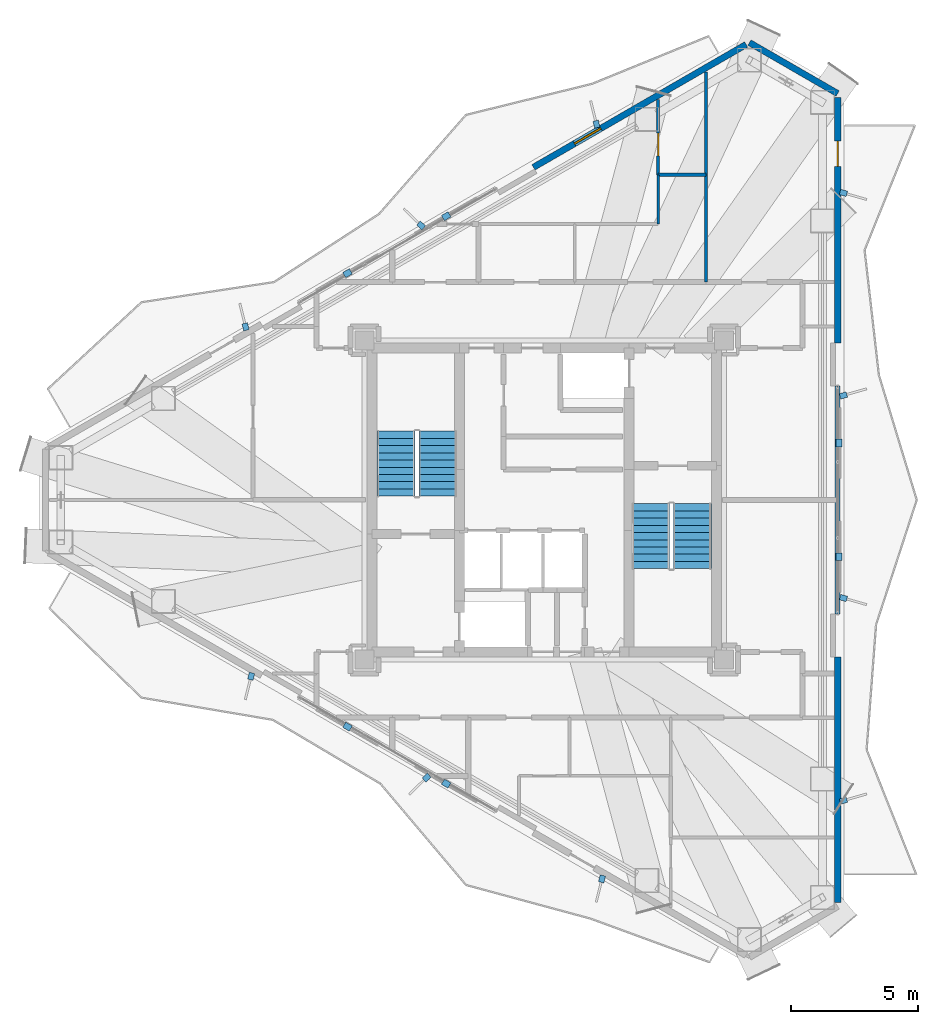
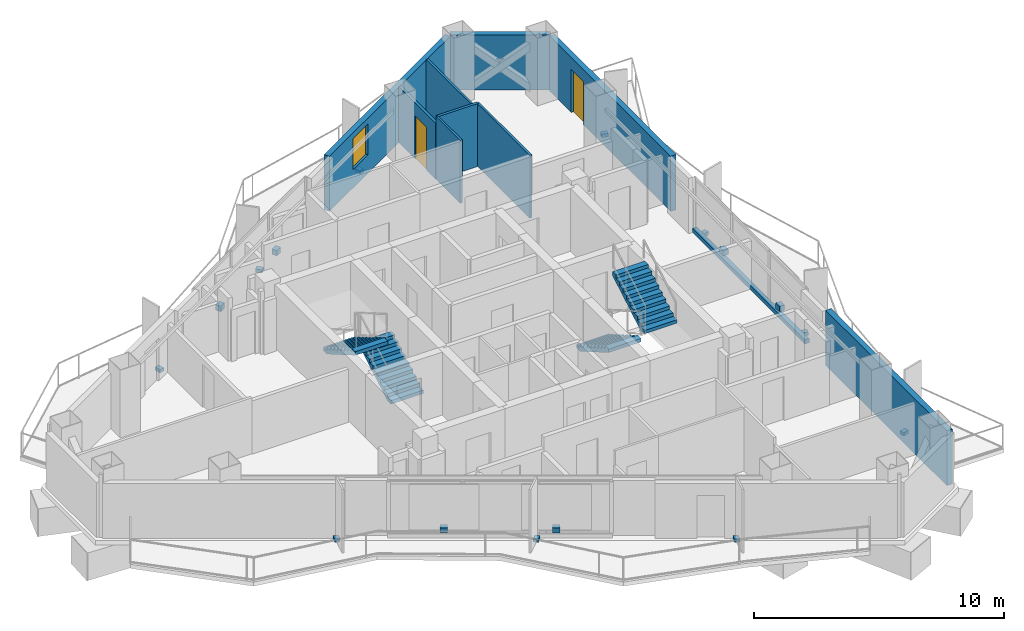
# One storey, part 17 of 19: 16 discrete accessories, 10 walls, 4 stair flights, 2 doors, 1 window, 3 openings, 2 elements without a shape of their own.
"""IFC4 building model written with IfcOpenShell, lengths in metres."""

from ifc_helpers import new_model, si_unit, direction, frame, frame_2d, origin, origin_2d, place, context, subcontext, project, spatial, polyline, rectangle, outline, extrude, material, layer, layer_set, type_object, element, fill, aggregate, save


model = new_model("IFC4")

# Units and contexts
model_context = context("Model", 3, precision=1e-05, world=origin(), true_north=direction((0.0, 1.0)))
body_context = subcontext(model_context, "Body", "Model", "MODEL_VIEW")
ifc_project = project(units=[si_unit("LENGTHUNIT", "METRE"), si_unit("AREAUNIT", "SQUARE_METRE"), si_unit("VOLUMEUNIT", "CUBIC_METRE"), si_unit("PLANEANGLEUNIT", "RADIAN"), si_unit("MASSUNIT", "GRAM", prefix="KILO")], contexts=[model_context])

# Site, building, storey
site_placement = place(None, origin())
site = spatial("IfcSite", under=ifc_project, at=site_placement, CompositionType="ELEMENT")
building_placement = place(site_placement, origin())
building = spatial("IfcBuilding", under=site, at=building_placement, Name="Mersakhor Tower and Convention Hall", CompositionType="ELEMENT")
storey_placement = place(building_placement, frame((0.0, 0.0, 175.5)))
storey = spatial("IfcBuildingStorey", under=building, at=storey_placement, Name="L48", CompositionType="ELEMENT", Elevation=175.5)

# Wall
ifc_material_1 = material(Name="Precast concrete C40/50", Category="concrete")
ifc_layer_1 = layer(ifc_material_1, 0.25)
ifc_layer_set_1 = layer_set([ifc_layer_1], Name="Precast concrete C40/50")
wall_type_1 = type_object("IfcWallType", Name="WL-EXT-250", PredefinedType="SOLIDWALL", material=ifc_layer_set_1)
wall_1_placement = place(storey_placement, frame((37.10400390625, 44.81005859375, 0.0), z_axis=(0.0, 0.0, 1.0), x_axis=(0.866023907196, -0.500002592159, 0.0)))
element("IfcWall", 1, at=wall_1_placement, inside=storey, type_object=wall_type_1, Name="L48 Chamfer Braced Spandrel Wall C1", PredefinedType="SOLIDWALL", context=body_context, shape_type="SweptSolid", body=[
    extrude(rectangle(XDim=4.0234375, YDim=0.25, at=frame_2d((2.01171875, 0.0))), origin(), (0.0, 0.0, 1.0), 2.68994140625),
])

# Wall, opening, window
wall_2_placement = place(storey_placement, frame((28.57470703125, 39.885498046875, 0.0), z_axis=(0.0, 0.0, 1.0), x_axis=(0.866016233231, 0.500015883528, 0.0)))
wall_2 = element("IfcWall", 2, at=wall_2_placement, inside=storey, type_object=wall_type_1, Name="L48 Exterior Facade Wall F1-B3", PredefinedType="SOLIDWALL", context=body_context, shape_type="SweptSolid", body=[
    extrude(rectangle(XDim=9.698974609375, YDim=0.25, at=frame_2d((4.849609375, 0.0))), origin(), (0.0, 0.0, 1.0), 2.68994140625),
])
opening_1_placement = place(wall_2_placement, frame((1.8701171875, 0.0, 0.89990234375)))
opening_1 = element("IfcOpeningElement", 3, at=opening_1_placement, cuts=wall_2, Name="Opening W-01", PredefinedType="OPENING", context=body_context, shape_type="SweptSolid", body=[
    extrude(rectangle(XDim=1.199951171875, YDim=1.5, at=frame_2d((0.60009765625, 0.75))), frame((0.0, 0.135009765625, 0.0), z_axis=(0.0, -1.0, 0.0), x_axis=(1.0, 0.0, 0.0)), (0.0, 0.0, 1.0), 0.27001953125),
])
ifc_material_2 = material(Name="Dark solar low-E glazed aluminium window", Category="aluminium")
window_type = type_object("IfcWindowType", Name="WN-RES-120x150", PartitioningType="SINGLE_PANEL", PredefinedType="WINDOW", material=ifc_material_2)
window_placement = place(opening_1_placement, origin())
window = element("IfcWindow", 4, at=window_placement, inside=storey, type_object=window_type, Name="L48 Facade Punched Window F1-B3", OverallHeight=1.5, OverallWidth=1.199951171875, PartitioningType="SINGLE_PANEL", PredefinedType="WINDOW", context=body_context, shape_type="SweptSolid", body=[
    extrude(rectangle(XDim=1.199951171875, YDim=1.5, at=frame_2d((0.60009765625, 0.75))), frame((0.0, 0.030029296875, 0.0), z_axis=(0.0, -1.0, 0.0), x_axis=(1.0, 0.0, 0.0)), (0.0, 0.0, 1.0), 0.06005859375),
])
fill(opening_1, window)

# Wall, opening, door
wall_3_placement = place(storey_placement, frame((40.58837890625, 42.6484375, 0.0), z_axis=(0.0, 0.0, 1.0), x_axis=(0.0, -1.0, 0.0)))
wall_3 = element("IfcWall", 5, at=wall_3_placement, inside=storey, type_object=wall_type_1, Name="L48 Exterior Facade Wall F2-B1", PredefinedType="SOLIDWALL", context=body_context, shape_type="SweptSolid", body=[
    extrude(rectangle(XDim=9.698974609375, YDim=0.25, at=frame_2d((4.849609375, 0.0))), origin(), (0.0, 0.0, 1.0), 2.68994140625),
])
opening_2_placement = place(wall_3_placement, frame((1.72998046875, 0.0, 0.0)))
opening_2 = element("IfcOpeningElement", 6, at=opening_2_placement, cuts=wall_3, Name="Opening BD-01", PredefinedType="OPENING", context=body_context, shape_type="SweptSolid", body=[
    extrude(rectangle(XDim=1.0, YDim=2.10009765625, at=frame_2d((0.5, 1.050048828125))), frame((0.0, 0.135009765625, 0.0), z_axis=(0.0, -1.0, 0.0), x_axis=(1.0, 0.0, 0.0)), (0.0, 0.0, 1.0), 0.27001953125),
])
ifc_material_3 = material(Name="Thermally broken dark aluminium and safety glass", Category="aluminium")
door_type_1 = type_object("IfcDoorType", Name="DR-BAL-100x210", OperationType="NOTDEFINED", PredefinedType="DOOR", material=ifc_material_3)
door_1_placement = place(opening_2_placement, origin())
door_1 = element("IfcDoor", 7, at=door_1_placement, inside=storey, type_object=door_type_1, Name="L48 Balcony Terrace Door F2-B1", OperationType="SINGLE_SWING_LEFT", OverallHeight=2.10009765625, OverallWidth=1.0, PredefinedType="DOOR", context=body_context, shape_type="SweptSolid", body=[
    extrude(rectangle(XDim=1.0, YDim=2.10009765625, at=frame_2d((0.5, 1.050048828125))), frame((0.0, 0.02490234375, 0.0), z_axis=(0.0, -1.0, 0.0), x_axis=(1.0, 0.0, 0.0)), (0.0, 0.0, 1.0), 0.050048828125),
])
fill(opening_2, door_1)

# Walls
wall_4_placement = place(storey_placement, frame((40.58837890625, 20.550537109375, 0.0), z_axis=(0.0, 0.0, 1.0), x_axis=(0.0, -1.0, 0.0)))
element("IfcWall", 8, at=wall_4_placement, inside=storey, type_object=wall_type_1, Name="L48 Exterior Facade Wall F2-B3", PredefinedType="SOLIDWALL", context=body_context, shape_type="SweptSolid", body=[
    extrude(rectangle(XDim=9.698974609375, YDim=0.25, at=frame_2d((4.849609375, 0.0))), origin(), (0.0, 0.0, 1.0), 2.68994140625),
])
ifc_material_4 = material(Name="Precast concrete C40/50", Category="concrete")
ifc_layer_2 = layer(ifc_material_4, 0.199951171875)
ifc_layer_set_2 = layer_set([ifc_layer_2], Name="Precast concrete C40/50")
wall_type_2 = type_object("IfcWallType", Name="WL-PAR-200", PredefinedType="PARAPET", material=ifc_layer_set_2)
wall_5_placement = place(storey_placement, frame((40.58837890625, 31.24951171875, 0.0), z_axis=(0.0, 0.0, 1.0), x_axis=(0.0, -1.0, 0.0)))
element("IfcWall", 9, at=wall_5_placement, inside=storey, type_object=wall_type_2, Name="L48 Curtain Wall Upstand Sill F2-B2", PredefinedType="PARAPET", context=body_context, shape_type="SweptSolid", body=[
    extrude(rectangle(XDim=8.9990234375, YDim=0.199951171875, at=frame_2d((4.49951171875, 0.0))), origin(), (0.0, 0.0, 1.0), 0.199951171875),
])
ifc_material_5 = material(Name="Lightweight gypsum partition", Category="other")
ifc_layer_3 = layer(ifc_material_5, 0.10009765625)
ifc_layer_set_3 = layer_set([ifc_layer_3], Name="Lightweight gypsum partition")
wall_type_3 = type_object("IfcWallType", Name="WL-PRT-100", PredefinedType="PARTITIONING", material=ifc_layer_set_3)
wall_6_placement = place(storey_placement, frame((33.5, 39.590087890625, 0.0), z_axis=(0.0, 0.0, 1.0), x_axis=(0.0, -1.0, 0.0)))
element("IfcWall", 10, at=wall_6_placement, inside=storey, type_object=wall_type_3, Name="L48 Interior Partition Wall P-076", PredefinedType="PARTITIONING", context=body_context, shape_type="SweptSolid", body=[
    extrude(rectangle(XDim=1.940185546875, YDim=0.10009765625, at=frame_2d((0.97021484375, 0.0))), origin(), (0.0, 0.0, 1.0), 3.070068359375),
])
wall_7_placement = place(storey_placement, frame((35.389892578125, 39.590087890625, 0.0), z_axis=(0.0, 0.0, 1.0), x_axis=(0.0, -1.0, 0.0)))
element("IfcWall", 11, at=wall_7_placement, inside=storey, type_object=wall_type_3, Name="L48 Interior Partition Wall P-078", PredefinedType="PARTITIONING", context=body_context, shape_type="SweptSolid", body=[
    extrude(rectangle(XDim=4.239990234375, YDim=0.10009765625, at=frame_2d((2.1201171875, 0.0))), origin(), (0.0, 0.0, 1.0), 3.070068359375),
])
wall_8_placement = place(storey_placement, frame((35.389892578125, 43.648193359375, 0.0), z_axis=(0.0, 0.0, 1.0), x_axis=(0.0, -1.0, 0.0)))
element("IfcWall", 12, at=wall_8_placement, inside=storey, type_object=wall_type_3, Name="L48 Interior Partition Wall P-080", PredefinedType="PARTITIONING", context=body_context, shape_type="SweptSolid", body=[
    extrude(rectangle(XDim=4.05810546875, YDim=0.10009765625, at=frame_2d((2.029052734375, 0.0))), origin(), (0.0, 0.0, 1.0), 2.734619140625),
])

# Wall, opening, door
ifc_material_6 = material(Name="Gypsum board acoustic partition", Category="other")
ifc_layer_4 = layer(ifc_material_6, 0.125)
ifc_layer_set_4 = layer_set([ifc_layer_4], Name="Gypsum board acoustic partition")
wall_type_4 = type_object("IfcWallType", Name="WL-PRT-125", PredefinedType="PARTITIONING", material=ifc_layer_set_4)
wall_9_placement = place(storey_placement, frame((33.5, 42.55712890625, 0.0), z_axis=(0.0, 0.0, 1.0), x_axis=(0.0, -1.0, 0.0)))
wall_9 = element("IfcWall", 13, at=wall_9_placement, inside=storey, type_object=wall_type_4, Name="L48 Interior Partition Wall P-075", PredefinedType="PARTITIONING", context=body_context, shape_type="SweptSolid", body=[
    extrude(rectangle(XDim=2.967041015625, YDim=0.125, at=frame_2d((1.4833984375, 0.0))), origin(), (0.0, 0.0, 1.0), 2.734619140625),
])
opening_3_placement = place(wall_9_placement, frame((1.319580078125, 0.0, 0.0)))
opening_3 = element("IfcOpeningElement", 14, at=opening_3_placement, cuts=wall_9, Name="Opening WD-01", PredefinedType="OPENING", context=body_context, shape_type="SweptSolid", body=[
    extrude(rectangle(XDim=0.89990234375, YDim=2.10009765625, at=frame_2d((0.449951171875, 1.050048828125))), frame((0.0, 0.072509765625, 0.0), z_axis=(0.0, -1.0, 0.0), x_axis=(1.0, 0.0, 0.0)), (0.0, 0.0, 1.0), 0.14501953125),
])
ifc_material_7 = material(Name="Solid-core hardwood leaf in painted steel frame", Category="steel")
door_type_2 = type_object("IfcDoorType", Name="DR-INT-WET-090x210", OperationType="NOTDEFINED", PredefinedType="DOOR", material=ifc_material_7)
door_2_placement = place(opening_3_placement, origin())
door_2 = element("IfcDoor", 15, at=door_2_placement, inside=storey, type_object=door_type_2, Name="L48 L48 Floor Residents Study Room 1-3 to L48 Floor Residents Study Room 1-5 Door", OperationType="SINGLE_SWING_LEFT", OverallHeight=2.10009765625, OverallWidth=0.89990234375, PredefinedType="DOOR", context=body_context, shape_type="SweptSolid", body=[
    extrude(rectangle(XDim=0.89990234375, YDim=2.10009765625, at=frame_2d((0.449951171875, 1.050048828125))), frame((0.0, 0.02490234375, 0.0), z_axis=(0.0, -1.0, 0.0), x_axis=(1.0, 0.0, 0.0)), (0.0, 0.0, 1.0), 0.050048828125),
])
fill(opening_3, door_2)

# Wall
wall_10_placement = place(storey_placement, frame((33.5, 39.590087890625, 0.0), z_axis=(0.0, 0.0, 1.0), x_axis=(1.0, 0.0, 0.0)))
element("IfcWall", 16, at=wall_10_placement, inside=storey, type_object=wall_type_4, Name="L48 Interior Partition Wall P-079", PredefinedType="PARTITIONING", context=body_context, shape_type="SweptSolid", body=[
    extrude(rectangle(XDim=1.889892578125, YDim=0.125, at=frame_2d((0.94482421875, 0.0))), origin(), (0.0, 0.0, 1.0), 3.070068359375),
])

# Stair, stair flights
ifc_material_8 = material(Name="Concrete C45/55", Category="concrete")
stair_type = type_object("IfcStairType", Name="ST-TWR-20R", PredefinedType="HALF_TURN_STAIR", material=ifc_material_8)
stair_1_placement = place(storey_placement, origin())
stair_1 = element("IfcStair", 17, at=stair_1_placement, inside=storey, type_object=stair_type, Name="L48 Tower Protected Exit Stair ST-1", PredefinedType="HALF_TURN_STAIR")
ifc_material_9 = material(Name="Concrete C45/55", Category="concrete")
stair_flight_type = type_object("IfcStairFlightType", Name="SFL-TWR-20R", PredefinedType="STRAIGHT", material=ifc_material_9)
stair_flight_1_placement = place(storey_placement, frame((24.800048828125, 26.89990234375, 0.0), z_axis=(0.0, 0.0, 1.0), x_axis=(0.0, 1.0, 0.0)))
stair_flight_1 = element("IfcStairFlight", 18, at=stair_flight_1_placement, type_object=stair_flight_type, Name="ST-1 flight 1", NumberOfRisers=10, NumberOfTreads=9, PredefinedType="STRAIGHT", RiserHeight=0.165, TreadLength=0.285, context=body_context, shape_type="SweptSolid", body=[
    extrude(outline(polyline([(0.0, 0.0), (0.0, 0.1650390625), (0.284912109375, 0.1650390625), (0.284912109375, 0.330078125), (0.570068359375, 0.330078125), (0.570068359375, 0.4951171875), (0.85498046875, 0.4951171875), (0.85498046875, 0.659912109375), (1.139892578125, 0.659912109375), (1.139892578125, 0.824951171875), (1.425048828125, 0.824951171875), (1.425048828125, 0.989990234375), (1.7099609375, 0.989990234375), (1.7099609375, 1.155029296875), (1.9951171875, 1.155029296875), (1.9951171875, 1.320068359375), (2.280029296875, 1.320068359375), (2.280029296875, 1.485107421875), (2.56494140625, 1.485107421875), (2.56494140625, 1.64990234375), (2.56494140625, 1.311767578125), (0.299072265625, 0.0), (0.0, 0.0)])), frame((0.0, 0.75, 0.0), z_axis=(0.0, -1.0, 0.0), x_axis=(1.0, 0.0, 0.0)), (0.0, 0.0, 1.0), 1.5),
])
stair_flight_2_placement = place(storey_placement, frame((23.14990234375, 29.465087890625, 1.64990234375), z_axis=(0.0, 0.0, 1.0), x_axis=(0.0, -1.0, 0.0)))
stair_flight_2 = element("IfcStairFlight", 19, at=stair_flight_2_placement, type_object=stair_flight_type, Name="ST-1 flight 2", NumberOfRisers=10, NumberOfTreads=9, PredefinedType="STRAIGHT", RiserHeight=0.165, TreadLength=0.285, context=body_context, shape_type="SweptSolid", body=[
    extrude(outline(polyline([(0.0, 0.0), (0.0, 0.1650390625), (0.284912109375, 0.1650390625), (0.284912109375, 0.330078125), (0.570068359375, 0.330078125), (0.570068359375, 0.4951171875), (0.85498046875, 0.4951171875), (0.85498046875, 0.659912109375), (1.139892578125, 0.659912109375), (1.139892578125, 0.824951171875), (1.425048828125, 0.824951171875), (1.425048828125, 0.989990234375), (1.7099609375, 0.989990234375), (1.7099609375, 1.155029296875), (1.9951171875, 1.155029296875), (1.9951171875, 1.320068359375), (2.280029296875, 1.320068359375), (2.280029296875, 1.485107421875), (2.56494140625, 1.485107421875), (2.56494140625, 1.64990234375), (2.56494140625, 1.311767578125), (0.299072265625, 0.0), (0.0, 0.0)])), frame((0.0, 0.75, 0.0), z_axis=(0.0, -1.0, 0.0), x_axis=(1.0, 0.0, 0.0)), (0.0, 0.0, 1.0), 1.5),
])
aggregate(stair_1, [stair_flight_1, stair_flight_2])

stair_2_placement = place(storey_placement, origin())
stair_2 = element("IfcStair", 20, at=stair_2_placement, inside=storey, type_object=stair_type, Name="L48 Tower Protected Exit Stair ST-2", PredefinedType="HALF_TURN_STAIR")
stair_flight_3_placement = place(storey_placement, frame((33.199951171875, 26.60009765625, 0.0), z_axis=(0.0, 0.0, 1.0), x_axis=(0.0, -1.0, 0.0)))
stair_flight_3 = element("IfcStairFlight", 21, at=stair_flight_3_placement, type_object=stair_flight_type, Name="ST-2 flight 1", NumberOfRisers=10, NumberOfTreads=9, PredefinedType="STRAIGHT", RiserHeight=0.165, TreadLength=0.285, context=body_context, shape_type="SweptSolid", body=[
    extrude(outline(polyline([(0.0, 0.0), (0.0, 0.1650390625), (0.284912109375, 0.1650390625), (0.284912109375, 0.330078125), (0.570068359375, 0.330078125), (0.570068359375, 0.4951171875), (0.85498046875, 0.4951171875), (0.85498046875, 0.659912109375), (1.139892578125, 0.659912109375), (1.139892578125, 0.824951171875), (1.425048828125, 0.824951171875), (1.425048828125, 0.989990234375), (1.7099609375, 0.989990234375), (1.7099609375, 1.155029296875), (1.9951171875, 1.155029296875), (1.9951171875, 1.320068359375), (2.280029296875, 1.320068359375), (2.280029296875, 1.485107421875), (2.56494140625, 1.485107421875), (2.56494140625, 1.64990234375), (2.56494140625, 1.311767578125), (0.299072265625, 0.0), (0.0, 0.0)])), frame((0.0, 0.75, 0.0), z_axis=(0.0, -1.0, 0.0), x_axis=(1.0, 0.0, 0.0)), (0.0, 0.0, 1.0), 1.5),
])
stair_flight_4_placement = place(storey_placement, frame((34.85009765625, 24.034912109375, 1.64990234375), z_axis=(0.0, 0.0, 1.0), x_axis=(0.0, 1.0, 0.0)))
stair_flight_4 = element("IfcStairFlight", 22, at=stair_flight_4_placement, type_object=stair_flight_type, Name="ST-2 flight 2", NumberOfRisers=10, NumberOfTreads=9, PredefinedType="STRAIGHT", RiserHeight=0.165, TreadLength=0.285, context=body_context, shape_type="SweptSolid", body=[
    extrude(outline(polyline([(0.0, 0.0), (0.0, 0.1650390625), (0.284912109375, 0.1650390625), (0.284912109375, 0.330078125), (0.570068359375, 0.330078125), (0.570068359375, 0.4951171875), (0.85498046875, 0.4951171875), (0.85498046875, 0.659912109375), (1.139892578125, 0.659912109375), (1.139892578125, 0.824951171875), (1.425048828125, 0.824951171875), (1.425048828125, 0.989990234375), (1.7099609375, 0.989990234375), (1.7099609375, 1.155029296875), (1.9951171875, 1.155029296875), (1.9951171875, 1.320068359375), (2.280029296875, 1.320068359375), (2.280029296875, 1.485107421875), (2.56494140625, 1.485107421875), (2.56494140625, 1.64990234375), (2.56494140625, 1.311767578125), (0.299072265625, 0.0), (0.0, 0.0)])), frame((0.0, 0.75, 0.0), z_axis=(0.0, -1.0, 0.0), x_axis=(1.0, 0.0, 0.0)), (0.0, 0.0, 1.0), 1.5),
])
aggregate(stair_2, [stair_flight_3, stair_flight_4])

# Discrete accessories
ifc_material_10 = material(Name="Galvanised steel bracket", Category="steel")
ifc_layer_5 = layer(ifc_material_10, 0.02001953125)
ifc_layer_set_5 = layer_set([ifc_layer_5], Name="Galvanised steel bracket")
discrete_accessory_type = type_object("IfcDiscreteAccessoryType", Name="ACC-BRK-STL", PredefinedType="BRACKET", material=ifc_layer_set_5)
for number, where, z_axis, x_axis, name in (
    (23, (21.232421875, 35.704345703125, 0.2900390625), (0.0, 0.0, 1.0), (0.866025403784, 0.5, 0.0), "L48 Solar Screen Outrigger Bracket BRK-1-1"),
    (24, (25.129150390625, 37.9541015625, 0.2900390625), (0.0, 0.0, 1.0), (0.866025403784, 0.5, 0.0), "L48 Solar Screen Outrigger Bracket BRK-1-2"),
):
    element("IfcDiscreteAccessory", number, at=place(storey_placement, frame(where, z_axis=z_axis, x_axis=x_axis)), inside=storey, type_object=discrete_accessory_type, Name=name, PredefinedType="BRACKET", context=body_context, shape_type="SweptSolid", body=[
        extrude(rectangle(XDim=0.300048828125, YDim=0.239990234375, at=origin_2d()), origin(), (0.0, 0.0, 1.0), 0.260009765625),
    ])
for number, where, z_axis, x_axis, name in (
    (25, (17.2080078125, 33.588623046875, -0.02001953125), (0.0, 0.0, 1.0), (-0.2419218956, 0.970295726276, 0.0), "L48 Facade Fin Base Cleat Bracket FBRK-1-1"),
    (26, (24.13623046875, 37.588623046875, -0.02001953125), (0.0, 0.0, 1.0), (-0.719339800339, 0.694658370459, 0.0), "L48 Facade Fin Base Cleat Bracket FBRK-1-2"),
    (27, (31.064453125, 41.588623046875, -0.02001953125), (0.0, 0.0, 1.0), (-0.2419218956, 0.970295726276, 0.0), "L48 Facade Fin Base Cleat Bracket FBRK-1-3"),
):
    element("IfcDiscreteAccessory", number, at=place(storey_placement, frame(where, z_axis=z_axis, x_axis=x_axis)), inside=storey, type_object=discrete_accessory_type, Name=name, PredefinedType="BRACKET", context=body_context, shape_type="SweptSolid", body=[
        extrude(rectangle(XDim=0.280029296875, YDim=0.219970703125, at=origin_2d()), origin(), (0.0, 0.0, 1.0), 0.159912109375),
    ])
for number, where, z_axis, x_axis, name in (
    (28, (40.638427734375, 28.999755859375, 0.2900390625), (0.0, 0.0, 1.0), (0.0, -1.0, 0.0), "L48 Solar Screen Outrigger Bracket BRK-2-1"),
    (29, (40.638427734375, 24.500244140625, 0.2900390625), (0.0, 0.0, 1.0), (0.0, -1.0, 0.0), "L48 Solar Screen Outrigger Bracket BRK-2-2"),
):
    element("IfcDiscreteAccessory", number, at=place(storey_placement, frame(where, z_axis=z_axis, x_axis=x_axis)), inside=storey, type_object=discrete_accessory_type, Name=name, PredefinedType="BRACKET", context=body_context, shape_type="SweptSolid", body=[
        extrude(rectangle(XDim=0.300048828125, YDim=0.239990234375, at=origin_2d()), origin(), (0.0, 0.0, 1.0), 0.260009765625),
    ])
for number, where, z_axis, x_axis, name in (
    (30, (40.818359375, 38.8759765625, -0.02001953125), (0.0, 0.0, 1.0), (0.961261695938, -0.275637355817, 0.0), "L48 Facade Fin Base Cleat Bracket FBRK-2-1"),
    (31, (40.818359375, 30.8759765625, -0.02001953125), (0.0, 0.0, 1.0), (0.961261695938, 0.275637355817, 0.0), "L48 Facade Fin Base Cleat Bracket FBRK-2-2"),
    (32, (40.818359375, 22.8759765625, -0.02001953125), (0.0, 0.0, 1.0), (0.961261695938, -0.275637355817, 0.0), "L48 Facade Fin Base Cleat Bracket FBRK-2-3"),
    (33, (40.818359375, 14.8759765625, -0.02001953125), (0.0, 0.0, 1.0), (0.961261695938, 0.275637355817, 0.0), "L48 Facade Fin Base Cleat Bracket FBRK-2-4"),
):
    element("IfcDiscreteAccessory", number, at=place(storey_placement, frame(where, z_axis=z_axis, x_axis=x_axis)), inside=storey, type_object=discrete_accessory_type, Name=name, PredefinedType="BRACKET", context=body_context, shape_type="SweptSolid", body=[
        extrude(rectangle(XDim=0.280029296875, YDim=0.219970703125, at=origin_2d()), origin(), (0.0, 0.0, 1.0), 0.159912109375),
    ])
for number, where, z_axis, x_axis, name in (
    (34, (25.129150390625, 15.5458984375, 0.2900390625), (0.0, 0.0, 1.0), (-0.866025403784, 0.5, 0.0), "L48 Solar Screen Outrigger Bracket BRK-3-1"),
    (35, (21.232421875, 17.795654296875, 0.2900390625), (0.0, 0.0, 1.0), (-0.866025403784, 0.5, 0.0), "L48 Solar Screen Outrigger Bracket BRK-3-2"),
):
    element("IfcDiscreteAccessory", number, at=place(storey_placement, frame(where, z_axis=z_axis, x_axis=x_axis)), inside=storey, type_object=discrete_accessory_type, Name=name, PredefinedType="BRACKET", context=body_context, shape_type="SweptSolid", body=[
        extrude(rectangle(XDim=0.300048828125, YDim=0.239990234375, at=origin_2d()), origin(), (0.0, 0.0, 1.0), 0.260009765625),
    ])
for number, where, z_axis, x_axis, name in (
    (36, (31.282958984375, 11.785400390625, -0.02001953125), (0.0, 0.0, 1.0), (-0.2419218956, -0.970295726276, 0.0), "L48 Facade Fin Base Cleat Bracket FBRK-3-1"),
    (37, (24.354736328125, 15.785400390625, -0.02001953125), (0.0, 0.0, 1.0), (-0.719339800339, -0.694658370459, 0.0), "L48 Facade Fin Base Cleat Bracket FBRK-3-2"),
    (38, (17.426513671875, 19.785400390625, -0.02001953125), (0.0, 0.0, 1.0), (-0.2419218956, -0.970295726276, 0.0), "L48 Facade Fin Base Cleat Bracket FBRK-3-3"),
):
    element("IfcDiscreteAccessory", number, at=place(storey_placement, frame(where, z_axis=z_axis, x_axis=x_axis)), inside=storey, type_object=discrete_accessory_type, Name=name, PredefinedType="BRACKET", context=body_context, shape_type="SweptSolid", body=[
        extrude(rectangle(XDim=0.280029296875, YDim=0.219970703125, at=origin_2d()), origin(), (0.0, 0.0, 1.0), 0.159912109375),
    ])

save(model, "model.ifc")
